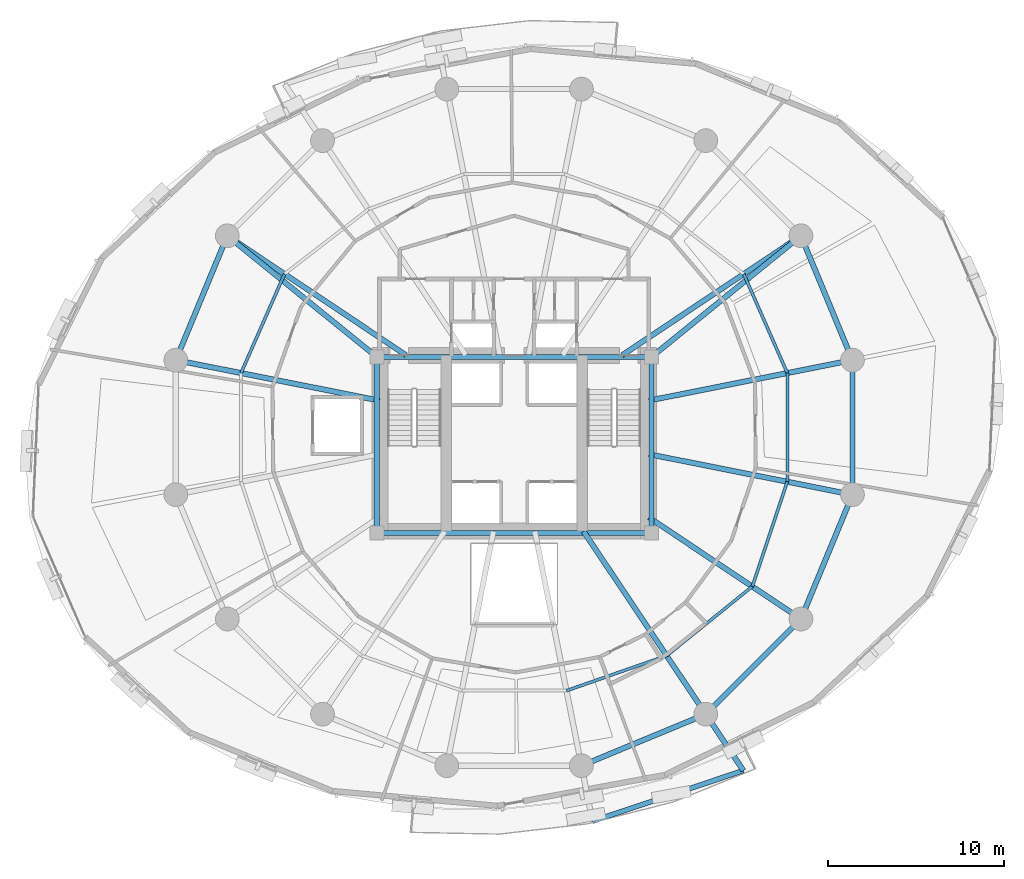
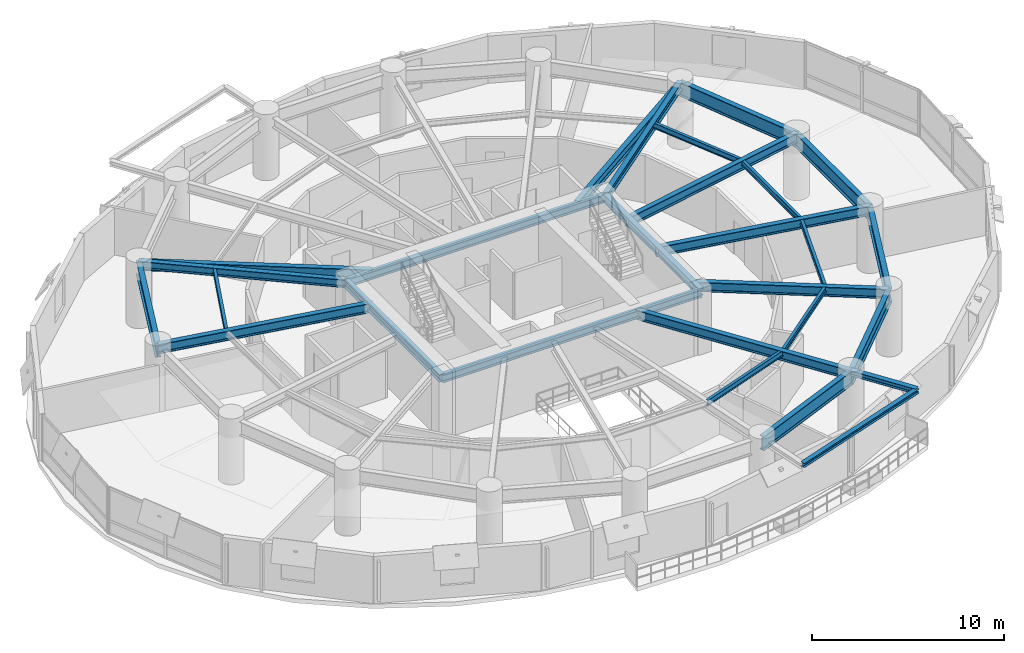
# One storey, part 7 of 17: 27 beams.
"""IFC4 building model written with IfcOpenShell, lengths in metres."""

from ifc_helpers import new_model, si_unit, direction, frame, origin, origin_2d, place, context, subcontext, project, spatial, i_section, extrude, material, material_profile, profile_set, type_object, element, save


model = new_model("IFC4")

# Units and contexts
model_context = context("Model", 3, precision=1e-05, world=origin(), true_north=direction((0.0, 1.0)))
body_context = subcontext(model_context, "Body", "Model", "MODEL_VIEW")
ifc_project = project(units=[si_unit("LENGTHUNIT", "METRE"), si_unit("AREAUNIT", "SQUARE_METRE"), si_unit("VOLUMEUNIT", "CUBIC_METRE"), si_unit("PLANEANGLEUNIT", "RADIAN"), si_unit("MASSUNIT", "GRAM", prefix="KILO"), si_unit("THERMODYNAMICTEMPERATUREUNIT", "KELVIN"), si_unit("POWERUNIT", "WATT")], contexts=[model_context])

# Site, building, storey
site_placement = place(None, origin())
site = spatial("IfcSite", under=ifc_project, at=site_placement, CompositionType="ELEMENT")
building_placement = place(site_placement, origin())
building = spatial("IfcBuilding", under=site, at=building_placement, Name="Ocrelia Relay Tower", CompositionType="ELEMENT")
storey_placement = place(building_placement, frame((0.0, 0.0, 76.199951171875)))
storey = spatial("IfcBuildingStorey", under=building, at=storey_placement, Name="L17", CompositionType="ELEMENT", Elevation=76.199951171875)

# Beams
ifc_material = material(Name="Steel S355", Category="steel")
ifc_material_profile_1 = material_profile(ifc_material, i_section(OverallWidth=0.280029296875, OverallDepth=0.27001953125, WebThickness=0.008056640625, FlangeThickness=0.012939453125, FilletRadius=0.02392578125, at=origin_2d()), Name="HEA 280")
ifc_profile_set_1 = profile_set([ifc_material_profile_1], Name="Steel S355")
beam_type_1 = type_object("IfcBeamType", Name="BM-HEA280", PredefinedType="BEAM", material=ifc_profile_set_1)
beam_1_placement = place(storey_placement, frame((38.451904296875, 3.619384765625, 3.78515625), z_axis=(0.947889705316, 0.318598660632, 0.0), x_axis=(-0.318598660632, 0.947889705316, 0.0)))
element("IfcBeam", 1, at=beam_1_placement, inside=storey, type_object=beam_type_1, Name="L18 Balcony Edge Trimmer Beam B2", PredefinedType="BEAM", context=body_context, shape_type="SweptSolid", body=[
    extrude(i_section(OverallWidth=0.280029296875, OverallDepth=0.27001953125, WebThickness=0.008056640625, FlangeThickness=0.012939453125, FilletRadius=0.02392578125, at=origin_2d()), origin(), (0.0, 0.0, 1.0), 9.047607421875),
])
ifc_material_profile_2 = material_profile(ifc_material, i_section(OverallWidth=0.300048828125, OverallDepth=0.330078125, WebThickness=0.009521484375, FlangeThickness=0.0166015625, FilletRadius=0.027099609375, at=origin_2d()), Name="HEA 340")
ifc_profile_set_2 = profile_set([ifc_material_profile_2], Name="Steel S355")
beam_type_2 = type_object("IfcBeamType", Name="BM-HEA340", PredefinedType="BEAM", material=ifc_profile_set_2)
beam_2_placement = place(storey_placement, frame((44.88916015625, 9.703125, 3.755126953125), z_axis=(0.555563293078, -0.831474249382, 0.0), x_axis=(0.831474249382, 0.555563293078, 0.0)))
element("IfcBeam", 2, at=beam_2_placement, inside=storey, type_object=beam_type_2, Name="L18 Balcony Cantilever Beam B2-2", PredefinedType="BEAM", context=body_context, shape_type="SweptSolid", body=[
    extrude(i_section(OverallWidth=0.300048828125, OverallDepth=0.330078125, WebThickness=0.009521484375, FlangeThickness=0.0166015625, FilletRadius=0.027099609375, at=origin_2d()), origin(), (0.0, 0.0, 1.0), 3.85009765625),
])
ifc_material_profile_3 = material_profile(ifc_material, i_section(OverallWidth=0.300048828125, OverallDepth=0.5, WebThickness=0.014404296875, FlangeThickness=0.028076171875, FilletRadius=0.027099609375, at=origin_2d()), Name="HEB 500")
ifc_profile_set_3 = profile_set([ifc_material_profile_3], Name="Steel S355")
beam_type_3 = type_object("IfcBeamType", Name="BM-HEB500", PredefinedType="BEAM", material=ifc_profile_set_3)
for number, where, z_axis, x_axis, name in (
    (3, (26.199951171875, 20.0, 3.670166015625), (1.0, 0.0, 0.0), (0.0, 1.0, 0.0), "L17 Core Pilaster Tie Beam S"),
    (4, (26.199951171875, 30.0, 3.670166015625), (1.0, 0.0, 0.0), (0.0, 1.0, 0.0), "L17 Core Pilaster Tie Beam N"),
):
    element("IfcBeam", number, at=place(storey_placement, frame(where, z_axis=z_axis, x_axis=x_axis)), inside=storey, type_object=beam_type_3, Name=name, PredefinedType="BEAM", context=body_context, shape_type="SweptSolid", body=[
        extrude(i_section(OverallWidth=0.300048828125, OverallDepth=0.5, WebThickness=0.014404296875, FlangeThickness=0.028076171875, FilletRadius=0.027099609375, at=origin_2d()), origin(), (0.0, 0.0, 1.0), 15.60009765625),
    ])
for number, where, z_axis, x_axis, name in (
    (5, (26.199951171875, 20.0, 3.670166015625), (0.0, 1.0, 0.0), (-1.0, 0.0, 0.0), "L17 Core Pilaster Tie Beam W"),
    (6, (41.800048828125, 20.0, 3.670166015625), (0.0, 1.0, 0.0), (-1.0, 0.0, 0.0), "L17 Core Pilaster Tie Beam E"),
):
    element("IfcBeam", number, at=place(storey_placement, frame(where, z_axis=z_axis, x_axis=x_axis)), inside=storey, type_object=beam_type_3, Name=name, PredefinedType="BEAM", context=body_context, shape_type="SweptSolid", body=[
        extrude(i_section(OverallWidth=0.300048828125, OverallDepth=0.5, WebThickness=0.014404296875, FlangeThickness=0.028076171875, FilletRadius=0.027099609375, at=origin_2d()), origin(), (0.0, 0.0, 1.0), 10.0),
    ])
for number, where, z_axis, x_axis, name in (
    (7, (50.296875, 36.88916015625, 3.670166015625), (-0.776762830896, -0.629793223637, 0.0), (0.629793223637, -0.776762830896, 0.0), "L17 Core Pilaster Frame Tie Beam PT02"),
    (8, (17.703125, 36.88916015625, 3.670166015625), (0.776762830896, -0.629793223637, 0.0), (0.629793223637, 0.776762830896, 0.0), "L17 Core Pilaster Frame Tie Beam PT07"),
):
    element("IfcBeam", number, at=place(storey_placement, frame(where, z_axis=z_axis, x_axis=x_axis)), inside=storey, type_object=beam_type_3, Name=name, PredefinedType="BEAM", context=body_context, shape_type="SweptSolid", body=[
        extrude(i_section(OverallWidth=0.300048828125, OverallDepth=0.5, WebThickness=0.014404296875, FlangeThickness=0.028076171875, FilletRadius=0.027099609375, at=origin_2d()), origin(), (0.0, 0.0, 1.0), 10.938720703125),
    ])
ifc_material_profile_4 = material_profile(ifc_material, i_section(OverallWidth=0.300048828125, OverallDepth=0.60009765625, WebThickness=0.015380859375, FlangeThickness=0.030029296875, FilletRadius=0.027099609375, at=origin_2d()), Name="HEB 600")
ifc_profile_set_4 = profile_set([ifc_material_profile_4], Name="Steel S355")
beam_type_4 = type_object("IfcBeamType", Name="BM-HEB600", PredefinedType="BEAM", material=ifc_profile_set_4)
beam_3_placement = place(storey_placement, frame((53.223388671875, 29.82373046875, 3.6201171875), z_axis=(-0.980786324446, -0.195085073187, 0.0), x_axis=(0.195085073187, -0.980786324446, 0.0)))
element("IfcBeam", 9, at=beam_3_placement, inside=storey, type_object=beam_type_4, Name="L17 Radial Floor Girder R01", PredefinedType="BEAM", context=body_context, shape_type="SweptSolid", body=[
    extrude(i_section(OverallWidth=0.300048828125, OverallDepth=0.60009765625, WebThickness=0.015380859375, FlangeThickness=0.030029296875, FilletRadius=0.027099609375, at=origin_2d()), origin(), (0.0, 0.0, 1.0), 11.794921875),
])
for number, where, z_axis, x_axis, name in (
    (10, (50.296875, 36.88916015625, 3.6201171875), (-0.831471581268, -0.555567286243, 0.0), (0.555567286243, -0.831471581268, 0.0), "L17 Radial Floor Girder R02"),
    (11, (17.703125, 36.88916015625, 3.6201171875), (0.831471581268, -0.555567286243, 0.0), (0.555567286243, 0.831471581268, 0.0), "L17 Radial Floor Girder R07"),
):
    element("IfcBeam", number, at=place(storey_placement, frame(where, z_axis=z_axis, x_axis=x_axis)), inside=storey, type_object=beam_type_4, Name=name, PredefinedType="BEAM", context=body_context, shape_type="SweptSolid", body=[
        extrude(i_section(OverallWidth=0.300048828125, OverallDepth=0.60009765625, WebThickness=0.015380859375, FlangeThickness=0.030029296875, FilletRadius=0.027099609375, at=origin_2d()), origin(), (0.0, 0.0, 1.0), 12.211181640625),
    ])
beam_4_placement = place(storey_placement, frame((14.776611328125, 29.82373046875, 3.6201171875), z_axis=(0.980786938484, -0.195081986098, 0.0), x_axis=(0.195081986098, 0.980786938484, 0.0)))
element("IfcBeam", 12, at=beam_4_placement, inside=storey, type_object=beam_type_4, Name="L17 Radial Floor Girder R08", PredefinedType="BEAM", context=body_context, shape_type="SweptSolid", body=[
    extrude(i_section(OverallWidth=0.300048828125, OverallDepth=0.60009765625, WebThickness=0.015380859375, FlangeThickness=0.030029296875, FilletRadius=0.027099609375, at=origin_2d()), origin(), (0.0, 0.0, 1.0), 11.80517578125),
])
beam_5_placement = place(storey_placement, frame((44.88916015625, 9.703125, 3.6201171875), z_axis=(-0.555569912646, 0.831469826369, 0.0), x_axis=(-0.831469826369, -0.555569912646, 0.0)))
element("IfcBeam", 13, at=beam_5_placement, inside=storey, type_object=beam_type_4, Name="L17 Radial Floor Girder R14", PredefinedType="BEAM", context=body_context, shape_type="SweptSolid", body=[
    extrude(i_section(OverallWidth=0.300048828125, OverallDepth=0.60009765625, WebThickness=0.015380859375, FlangeThickness=0.030029296875, FilletRadius=0.027099609375, at=origin_2d()), origin(), (0.0, 0.0, 1.0), 12.498046875),
])
beam_6_placement = place(storey_placement, frame((50.296875, 15.11083984375, 3.6201171875), z_axis=(-0.831475246583, 0.555561800631, 0.0), x_axis=(-0.555561800631, -0.831475246583, 0.0)))
element("IfcBeam", 14, at=beam_6_placement, inside=storey, type_object=beam_type_4, Name="L17 Radial Floor Girder R15", PredefinedType="BEAM", context=body_context, shape_type="SweptSolid", body=[
    extrude(i_section(OverallWidth=0.300048828125, OverallDepth=0.60009765625, WebThickness=0.015380859375, FlangeThickness=0.030029296875, FilletRadius=0.027099609375, at=origin_2d()), origin(), (0.0, 0.0, 1.0), 10.393310546875),
])
beam_7_placement = place(storey_placement, frame((53.223388671875, 22.17626953125, 3.6201171875), z_axis=(-0.980786324446, 0.195085073187, 0.0), x_axis=(-0.195085073187, -0.980786324446, 0.0)))
element("IfcBeam", 15, at=beam_7_placement, inside=storey, type_object=beam_type_4, Name="L17 Radial Floor Girder R16", PredefinedType="BEAM", context=body_context, shape_type="SweptSolid", body=[
    extrude(i_section(OverallWidth=0.300048828125, OverallDepth=0.60009765625, WebThickness=0.015380859375, FlangeThickness=0.030029296875, FilletRadius=0.027099609375, at=origin_2d()), origin(), (0.0, 0.0, 1.0), 11.794921875),
])
ifc_material_profile_5 = material_profile(ifc_material, i_section(OverallWidth=0.300048828125, OverallDepth=0.89990234375, WebThickness=0.0185546875, FlangeThickness=0.034912109375, FilletRadius=0.030029296875, at=origin_2d()), Name="HEB 900")
ifc_profile_set_5 = profile_set([ifc_material_profile_5], Name="Steel S355")
beam_type_5 = type_object("IfcBeamType", Name="BM-HEB900", PredefinedType="BEAM", material=ifc_profile_set_5)
for number, where, z_axis, x_axis, name in (
    (16, (53.223388671875, 29.82373046875, 3.469970703125), (-0.382674154222, 0.923883375589, 0.0), (-0.923883375589, -0.382674154222, 0.0), "L17 Perimeter Spandrel Beam S01"),
    (17, (17.703125, 36.88916015625, 3.469970703125), (-0.382674154222, -0.923883375589, 0.0), (0.923883375589, -0.382674154222, 0.0), "L17 Perimeter Spandrel Beam S07"),
    (18, (37.82373046875, 6.776611328125, 3.469970703125), (0.923883375589, 0.382674154222, 0.0), (-0.382674154222, 0.923883375589, 0.0), "L17 Perimeter Spandrel Beam S13"),
):
    element("IfcBeam", number, at=place(storey_placement, frame(where, z_axis=z_axis, x_axis=x_axis)), inside=storey, type_object=beam_type_5, Name=name, PredefinedType="BEAM", context=body_context, shape_type="SweptSolid", body=[
        extrude(i_section(OverallWidth=0.300048828125, OverallDepth=0.89990234375, WebThickness=0.0185546875, FlangeThickness=0.034912109375, FilletRadius=0.030029296875, at=origin_2d()), origin(), (0.0, 0.0, 1.0), 7.6474609375),
    ])
beam_8_placement = place(storey_placement, frame((44.88916015625, 9.703125, 3.469970703125), z_axis=(0.707106781187, 0.707106781187, 0.0), x_axis=(-0.707106781187, 0.707106781187, 0.0)))
element("IfcBeam", 19, at=beam_8_placement, inside=storey, type_object=beam_type_5, Name="L17 Perimeter Spandrel Beam S14", PredefinedType="BEAM", context=body_context, shape_type="SweptSolid", body=[
    extrude(i_section(OverallWidth=0.300048828125, OverallDepth=0.89990234375, WebThickness=0.0185546875, FlangeThickness=0.034912109375, FilletRadius=0.030029296875, at=origin_2d()), origin(), (0.0, 0.0, 1.0), 7.647705078125),
])
for number, where, z_axis, x_axis, name in (
    (20, (50.296875, 15.11083984375, 3.469970703125), (0.382674154222, 0.923883375589, 0.0), (-0.923883375589, 0.382674154222, 0.0), "L17 Perimeter Spandrel Beam S15"),
    (21, (53.223388671875, 22.17626953125, 3.469970703125), (0.0, 1.0, 0.0), (-1.0, 0.0, 0.0), "L17 Perimeter Spandrel Beam S16"),
):
    element("IfcBeam", number, at=place(storey_placement, frame(where, z_axis=z_axis, x_axis=x_axis)), inside=storey, type_object=beam_type_5, Name=name, PredefinedType="BEAM", context=body_context, shape_type="SweptSolid", body=[
        extrude(i_section(OverallWidth=0.300048828125, OverallDepth=0.89990234375, WebThickness=0.0185546875, FlangeThickness=0.034912109375, FilletRadius=0.030029296875, at=origin_2d()), origin(), (0.0, 0.0, 1.0), 7.6474609375),
    ])
ifc_material_profile_6 = material_profile(ifc_material, i_section(OverallWidth=0.169921875, OverallDepth=0.360107421875, WebThickness=0.008056640625, FlangeThickness=0.0126953125, FilletRadius=0.01806640625, at=origin_2d()), Name="IPE 360")
ifc_profile_set_6 = profile_set([ifc_material_profile_6], Name="Steel S355")
beam_type_6 = type_object("IfcBeamType", Name="BM-IPE360", PredefinedType="JOIST", material=ifc_profile_set_6)
beam_9_placement = place(storey_placement, frame((49.521484375, 29.08740234375, 3.739990234375), z_axis=(-0.402201104053, 0.915551348586, 0.0), x_axis=(-0.915551348586, -0.402201104053, 0.0)))
element("IfcBeam", 22, at=beam_9_placement, inside=storey, type_object=beam_type_6, Name="L17 Secondary Floor Joist J01", PredefinedType="JOIST", context=body_context, shape_type="SweptSolid", body=[
    extrude(i_section(OverallWidth=0.169921875, OverallDepth=0.360107421875, WebThickness=0.008056640625, FlangeThickness=0.0126953125, FilletRadius=0.01806640625, at=origin_2d()), origin(), (0.0, 0.0, 1.0), 6.150146484375),
])
beam_10_placement = place(storey_placement, frame((20.9521484375, 34.71826171875, 3.739990234375), z_axis=(-0.401739185135, -0.915754130281, 0.0), x_axis=(0.915754130281, -0.401739185135, 0.0)))
element("IfcBeam", 23, at=beam_10_placement, inside=storey, type_object=beam_type_6, Name="L17 Secondary Floor Joist J07", PredefinedType="JOIST", context=body_context, shape_type="SweptSolid", body=[
    extrude(i_section(OverallWidth=0.169921875, OverallDepth=0.360107421875, WebThickness=0.008056640625, FlangeThickness=0.0126953125, FilletRadius=0.01806640625, at=origin_2d()), origin(), (0.0, 0.0, 1.0), 6.1494140625),
])
beam_11_placement = place(storey_placement, frame((36.97607421875, 11.03857421875, 3.739990234375), z_axis=(0.943957429675, 0.330067221882, 0.0), x_axis=(-0.330067221882, 0.943957429675, 0.0)))
element("IfcBeam", 24, at=beam_11_placement, inside=storey, type_object=beam_type_6, Name="L17 Secondary Floor Joist J13", PredefinedType="JOIST", context=body_context, shape_type="SweptSolid", body=[
    extrude(i_section(OverallWidth=0.169921875, OverallDepth=0.360107421875, WebThickness=0.008056640625, FlangeThickness=0.0126953125, FilletRadius=0.01806640625, at=origin_2d()), origin(), (0.0, 0.0, 1.0), 6.029052734375),
])
beam_12_placement = place(storey_placement, frame((42.667236328125, 13.028564453125, 3.739990234375), z_axis=(0.777854562422, 0.628444333031, 0.0), x_axis=(-0.628444333031, 0.777854562422, 0.0)))
element("IfcBeam", 25, at=beam_12_placement, inside=storey, type_object=beam_type_6, Name="L17 Secondary Floor Joist J14", PredefinedType="JOIST", context=body_context, shape_type="SweptSolid", body=[
    extrude(i_section(OverallWidth=0.169921875, OverallDepth=0.360107421875, WebThickness=0.008056640625, FlangeThickness=0.0126953125, FilletRadius=0.01806640625, at=origin_2d()), origin(), (0.0, 0.0, 1.0), 6.25341796875),
])
beam_13_placement = place(storey_placement, frame((47.531494140625, 16.95849609375, 3.739990234375), z_axis=(0.31698600471, 0.948430215049, 0.0), x_axis=(-0.948430215049, 0.31698600471, 0.0)))
element("IfcBeam", 26, at=beam_13_placement, inside=storey, type_object=beam_type_6, Name="L17 Secondary Floor Joist J15", PredefinedType="JOIST", context=body_context, shape_type="SweptSolid", body=[
    extrude(i_section(OverallWidth=0.169921875, OverallDepth=0.360107421875, WebThickness=0.008056640625, FlangeThickness=0.0126953125, FilletRadius=0.01806640625, at=origin_2d()), origin(), (0.0, 0.0, 1.0), 6.27783203125),
])
beam_14_placement = place(storey_placement, frame((49.521484375, 22.91259765625, 3.739990234375), z_axis=(0.0, 1.0, 0.0), x_axis=(-1.0, 0.0, 0.0)))
element("IfcBeam", 27, at=beam_14_placement, inside=storey, type_object=beam_type_6, Name="L17 Secondary Floor Joist J16", PredefinedType="JOIST", context=body_context, shape_type="SweptSolid", body=[
    extrude(i_section(OverallWidth=0.169921875, OverallDepth=0.360107421875, WebThickness=0.008056640625, FlangeThickness=0.0126953125, FilletRadius=0.01806640625, at=origin_2d()), origin(), (0.0, 0.0, 1.0), 6.1748046875),
])

save(model, "model.ifc")
